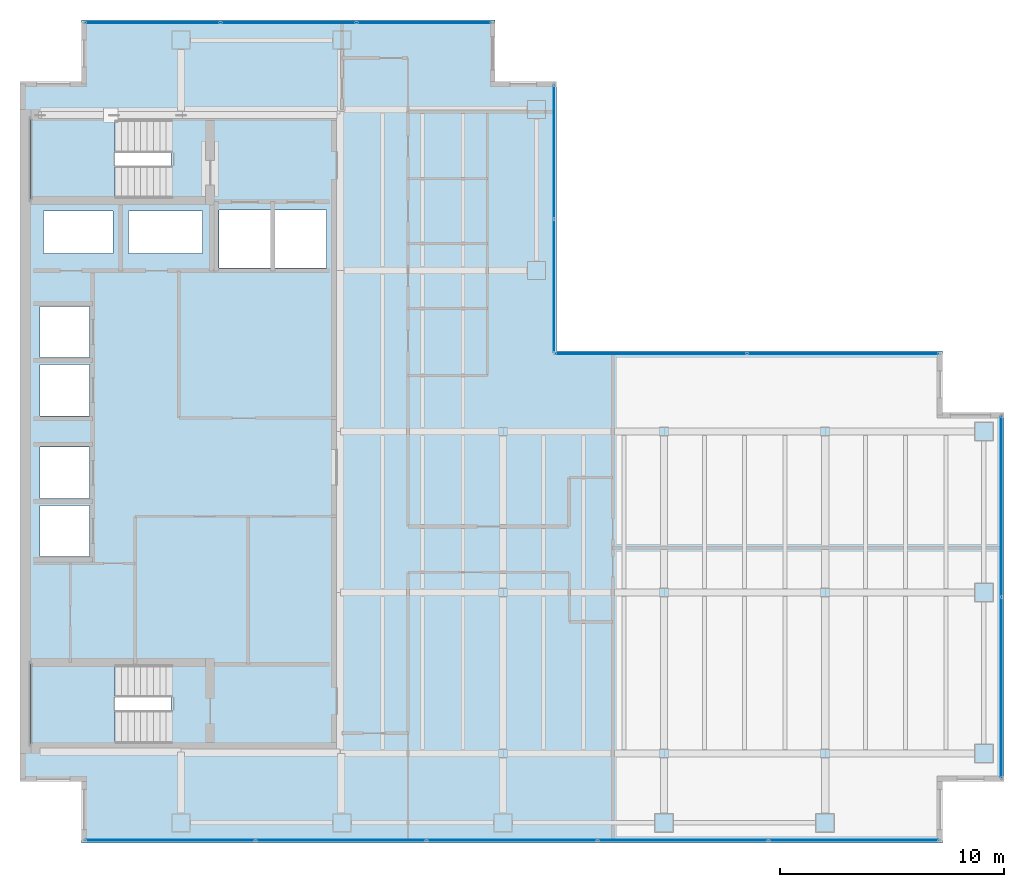
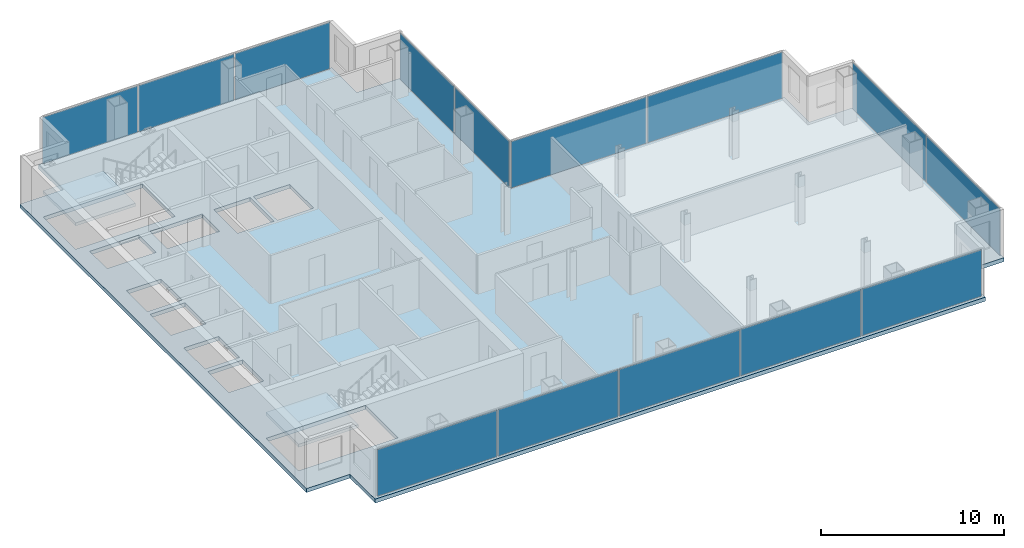
# One storey, part 19 of 23: 14 plates, 3 slabs, 10 openings, 7 elements without a shape of their own.
"""IFC4 building model written with IfcOpenShell, lengths in metres."""

from ifc_helpers import new_model, si_unit, direction, frame, origin, origin_2d, place, context, subcontext, project, spatial, polyline, rectangle, outline, extrude, material, layer, layer_set, type_object, element, aggregate, save


model = new_model("IFC4")

# Units and contexts
model_context = context("Model", 3, precision=1e-05, world=origin(), true_north=direction((0.0, 1.0)))
body_context = subcontext(model_context, "Body", "Model", "MODEL_VIEW")
ifc_project = project(units=[si_unit("LENGTHUNIT", "METRE"), si_unit("AREAUNIT", "SQUARE_METRE"), si_unit("VOLUMEUNIT", "CUBIC_METRE"), si_unit("PLANEANGLEUNIT", "RADIAN"), si_unit("MASSUNIT", "GRAM", prefix="KILO")], contexts=[model_context])

# Site, building, storey
site_placement = place(None, origin())
site = spatial("IfcSite", under=ifc_project, at=site_placement, CompositionType="ELEMENT")
building_placement = place(site_placement, origin())
building = spatial("IfcBuilding", under=site, at=building_placement, Name="Cobrela Telecom Tower", CompositionType="ELEMENT")
storey_placement = place(building_placement, frame((0.0, 0.0, 176.75)))
storey = spatial("IfcBuildingStorey", under=building, at=storey_placement, Name="L44", CompositionType="ELEMENT", Elevation=176.75)

# Curtain wall, plates
ifc_material_1 = material(Name="Anodized Bronze Aluminium 6063-T6", Category="aluminium")
curtain_wall_type = type_object("IfcCurtainWallType", Name="CW-SYS-OFF-LO", PredefinedType="USERDEFINED", material=ifc_material_1)
curtain_wall_1_placement = place(storey_placement, origin())
curtain_wall_1 = element("IfcCurtainWall", 1, at=curtain_wall_1_placement, inside=storey, type_object=curtain_wall_type, Name="L44 Unitised Bronze Curtain Wall 07", ObjectType="UNITISED CURTAIN WALL", PredefinedType="USERDEFINED")
ifc_material_2 = material(Name="Solar-Control Bronze Low-E Glass", Category="glass")
ifc_layer_1 = layer(ifc_material_2, 0.031982421875)
ifc_layer_set_1 = layer_set([ifc_layer_1], Name="Solar-Control Bronze Low-E Glass")
plate_type = type_object("IfcPlateType", Name="CW-SYS-OFF-LO-PNL", PredefinedType="CURTAIN_PANEL", material=ifc_layer_set_1)
plate_1_placement = place(storey_placement, frame((5.930908203125, 39.8798828125, 0.070068359375), z_axis=(0.0, 0.0, 1.0), x_axis=(1.0, 0.0, 0.0)))
plate_1 = element("IfcPlate", 2, at=plate_1_placement, type_object=plate_type, Name="CW-OFF-LO panel 1.1", PredefinedType="CURTAIN_PANEL", context=body_context, shape_type="SweptSolid", body=[
    extrude(rectangle(XDim=5.981689453125, YDim=0.031982421875, at=origin_2d()), origin(), (0.0, 0.0, 1.0), 3.10009765625),
])
plate_2_placement = place(storey_placement, frame((12.0, 39.8798828125, 0.070068359375), z_axis=(0.0, 0.0, 1.0), x_axis=(1.0, 0.0, 0.0)))
plate_2 = element("IfcPlate", 3, at=plate_2_placement, type_object=plate_type, Name="CW-OFF-LO panel 2.1", PredefinedType="CURTAIN_PANEL", context=body_context, shape_type="SweptSolid", body=[
    extrude(rectangle(XDim=6.0166015625, YDim=0.031982421875, at=origin_2d()), origin(), (0.0, 0.0, 1.0), 3.10009765625),
])
plate_3_placement = place(storey_placement, frame((18.069091796875, 39.8798828125, 0.070068359375), z_axis=(0.0, 0.0, 1.0), x_axis=(1.0, 0.0, 0.0)))
plate_3 = element("IfcPlate", 4, at=plate_3_placement, type_object=plate_type, Name="CW-OFF-LO panel 3.1", PredefinedType="CURTAIN_PANEL", context=body_context, shape_type="SweptSolid", body=[
    extrude(rectangle(XDim=5.981689453125, YDim=0.031982421875, at=origin_2d()), origin(), (0.0, 0.0, 1.0), 3.10009765625),
])
aggregate(curtain_wall_1, [plate_1, plate_2, plate_3])

curtain_wall_2_placement = place(storey_placement, origin())
curtain_wall_2 = element("IfcCurtainWall", 5, at=curtain_wall_2_placement, inside=storey, type_object=curtain_wall_type, Name="L44 Unitised Bronze Curtain Wall 10", ObjectType="UNITISED CURTAIN WALL", PredefinedType="USERDEFINED")
plate_4_placement = place(storey_placement, frame((23.8798828125, 34.10009765625, 0.070068359375), z_axis=(0.0, 0.0, 1.0), x_axis=(0.0, -1.0, 0.0)))
plate_4 = element("IfcPlate", 6, at=plate_4_placement, type_object=plate_type, Name="CW-OFF-LO panel 1.1", PredefinedType="CURTAIN_PANEL", context=body_context, shape_type="SweptSolid", body=[
    extrude(rectangle(XDim=5.919921875, YDim=0.031982421875, at=origin_2d()), origin(), (0.0, 0.0, 1.0), 3.10009765625),
])
plate_5_placement = place(storey_placement, frame((23.8798828125, 28.110107421875, 0.070068359375), z_axis=(0.0, 0.0, 1.0), x_axis=(0.0, -1.0, 0.0)))
plate_5 = element("IfcPlate", 7, at=plate_5_placement, type_object=plate_type, Name="CW-OFF-LO panel 2.1", PredefinedType="CURTAIN_PANEL", context=body_context, shape_type="SweptSolid", body=[
    extrude(rectangle(XDim=5.919921875, YDim=0.031982421875, at=origin_2d()), origin(), (0.0, 0.0, 1.0), 3.10009765625),
])
aggregate(curtain_wall_2, [plate_4, plate_5])

curtain_wall_3_placement = place(storey_placement, origin())
curtain_wall_3 = element("IfcCurtainWall", 8, at=curtain_wall_3_placement, inside=storey, type_object=curtain_wall_type, Name="L44 Unitised Bronze Curtain Wall 11", ObjectType="UNITISED CURTAIN WALL", PredefinedType="USERDEFINED")
plate_6_placement = place(storey_placement, frame((28.2099609375, 25.080078125, 0.070068359375), z_axis=(0.0, 0.0, 1.0), x_axis=(1.0, 0.0, 0.0)))
plate_6 = element("IfcPlate", 9, at=plate_6_placement, type_object=plate_type, Name="CW-OFF-LO panel 1.1", PredefinedType="CURTAIN_PANEL", context=body_context, shape_type="SweptSolid", body=[
    extrude(rectangle(XDim=8.52001953125, YDim=0.031982421875, at=origin_2d()), origin(), (0.0, 0.0, 1.0), 3.10009765625),
])
plate_7_placement = place(storey_placement, frame((36.800048828125, 25.080078125, 0.070068359375), z_axis=(0.0, 0.0, 1.0), x_axis=(1.0, 0.0, 0.0)))
plate_7 = element("IfcPlate", 10, at=plate_7_placement, type_object=plate_type, Name="CW-OFF-LO panel 2.1", PredefinedType="CURTAIN_PANEL", context=body_context, shape_type="SweptSolid", body=[
    extrude(rectangle(XDim=8.52001953125, YDim=0.031982421875, at=origin_2d()), origin(), (0.0, 0.0, 1.0), 3.10009765625),
])
aggregate(curtain_wall_3, [plate_6, plate_7])

curtain_wall_4_placement = place(storey_placement, origin())
curtain_wall_4 = element("IfcCurtainWall", 11, at=curtain_wall_4_placement, inside=storey, type_object=curtain_wall_type, Name="L44 Unitised Bronze Curtain Wall 14", ObjectType="UNITISED CURTAIN WALL", PredefinedType="USERDEFINED")
plate_8_placement = place(storey_placement, frame((43.8798828125, 18.24755859375, 0.070068359375), z_axis=(0.0, 0.0, 1.0), x_axis=(0.0, -1.0, 0.0)))
plate_8 = element("IfcPlate", 12, at=plate_8_placement, type_object=plate_type, Name="CW-OFF-LO panel 1.1", PredefinedType="CURTAIN_PANEL", context=body_context, shape_type="SweptSolid", body=[
    extrude(rectangle(XDim=8.02490234375, YDim=0.031982421875, at=origin_2d()), origin(), (0.0, 0.0, 1.0), 3.10009765625),
])
plate_9_placement = place(storey_placement, frame((43.8798828125, 10.152587890625, 0.070068359375), z_axis=(0.0, 0.0, 1.0), x_axis=(0.0, -1.0, 0.0)))
plate_9 = element("IfcPlate", 13, at=plate_9_placement, type_object=plate_type, Name="CW-OFF-LO panel 2.1", PredefinedType="CURTAIN_PANEL", context=body_context, shape_type="SweptSolid", body=[
    extrude(rectangle(XDim=8.02490234375, YDim=0.031982421875, at=origin_2d()), origin(), (0.0, 0.0, 1.0), 3.10009765625),
])
aggregate(curtain_wall_4, [plate_8, plate_9])

curtain_wall_5_placement = place(storey_placement, origin())
curtain_wall_5 = element("IfcCurtainWall", 14, at=curtain_wall_5_placement, inside=storey, type_object=curtain_wall_type, Name="L44 Unitised Bronze Curtain Wall 17", ObjectType="UNITISED CURTAIN WALL", PredefinedType="USERDEFINED")
plate_10_placement = place(storey_placement, frame((37.28662109375, 3.320068359375, 0.070068359375), z_axis=(0.0, 0.0, 1.0), x_axis=(-1.0, 0.0, 0.0)))
plate_10 = element("IfcPlate", 15, at=plate_10_placement, type_object=plate_type, Name="CW-OFF-LO panel 1.1", PredefinedType="CURTAIN_PANEL", context=body_context, shape_type="SweptSolid", body=[
    extrude(rectangle(XDim=7.547119140625, YDim=0.031982421875, at=origin_2d()), origin(), (0.0, 0.0, 1.0), 3.10009765625),
])
plate_11_placement = place(storey_placement, frame((29.652099609375, 3.320068359375, 0.070068359375), z_axis=(0.0, 0.0, 1.0), x_axis=(-1.0, 0.0, 0.0)))
plate_11 = element("IfcPlate", 16, at=plate_11_placement, type_object=plate_type, Name="CW-OFF-LO panel 2.1", PredefinedType="CURTAIN_PANEL", context=body_context, shape_type="SweptSolid", body=[
    extrude(rectangle(XDim=7.58203125, YDim=0.031982421875, at=origin_2d()), origin(), (0.0, 0.0, 1.0), 3.10009765625),
])
plate_12_placement = place(storey_placement, frame((22.0, 3.320068359375, 0.070068359375), z_axis=(0.0, 0.0, 1.0), x_axis=(-1.0, 0.0, 0.0)))
plate_12 = element("IfcPlate", 17, at=plate_12_placement, type_object=plate_type, Name="CW-OFF-LO panel 3.1", PredefinedType="CURTAIN_PANEL", context=body_context, shape_type="SweptSolid", body=[
    extrude(rectangle(XDim=7.58203125, YDim=0.031982421875, at=origin_2d()), origin(), (0.0, 0.0, 1.0), 3.10009765625),
])
plate_13_placement = place(storey_placement, frame((14.347900390625, 3.320068359375, 0.070068359375), z_axis=(0.0, 0.0, 1.0), x_axis=(-1.0, 0.0, 0.0)))
plate_13 = element("IfcPlate", 18, at=plate_13_placement, type_object=plate_type, Name="CW-OFF-LO panel 4.1", PredefinedType="CURTAIN_PANEL", context=body_context, shape_type="SweptSolid", body=[
    extrude(rectangle(XDim=7.58203125, YDim=0.031982421875, at=origin_2d()), origin(), (0.0, 0.0, 1.0), 3.10009765625),
])
plate_14_placement = place(storey_placement, frame((6.71337890625, 3.320068359375, 0.070068359375), z_axis=(0.0, 0.0, 1.0), x_axis=(-1.0, 0.0, 0.0)))
plate_14 = element("IfcPlate", 19, at=plate_14_placement, type_object=plate_type, Name="CW-OFF-LO panel 5.1", PredefinedType="CURTAIN_PANEL", context=body_context, shape_type="SweptSolid", body=[
    extrude(rectangle(XDim=7.547119140625, YDim=0.031982421875, at=origin_2d()), origin(), (0.0, 0.0, 1.0), 3.10009765625),
])
aggregate(curtain_wall_5, [plate_10, plate_11, plate_12, plate_13, plate_14])

# Slab, openings
ifc_material_3 = material(Name="Concrete C40/50", Category="concrete")
ifc_layer_2 = layer(ifc_material_3, 0.260009765625)
ifc_layer_set_2 = layer_set([ifc_layer_2], Name="Concrete C40/50")
slab_type_1 = type_object("IfcSlabType", Name="SLAB-FLR-260", PredefinedType="FLOOR", material=ifc_layer_set_2)
slab_1_placement = place(storey_placement, frame((0.0, 0.0, -0.260009765625)))
slab_1 = element("IfcSlab", 20, at=slab_1_placement, inside=storey, type_object=slab_type_1, Name="L44 Structural Floor Slab", PredefinedType="FLOOR", context=body_context, shape_type="SweptSolid", body=[
    extrude(outline(polyline([(2.75, 3.199951171875), (41.25, 3.199951171875), (41.25, 5.949951171875), (44.0, 5.949951171875), (44.0, 22.449951171875), (41.25, 22.449951171875), (41.25, 25.199951171875), (24.0, 25.199951171875), (24.0, 37.25), (21.25, 37.25), (21.25, 40.0), (2.75, 40.0), (2.75, 37.25), (0.0, 37.25), (0.0, 5.949951171875), (2.75, 5.949951171875), (2.75, 3.199951171875)])), origin(), (0.0, 0.0, 1.0), 0.260009765625),
])
opening_1_placement = place(slab_1_placement, frame((0.0, 0.0, -0.02001953125)))
element("IfcOpeningElement", 21, at=opening_1_placement, cuts=slab_1, Name="Slab Shaft Opening SLAB-L44-MAIN.1", PredefinedType="OPENING", context=body_context, shape_type="SweptSolid", body=[
    extrude(outline(polyline([(8.89990234375, 28.89990234375), (11.199951171875, 28.89990234375), (11.199951171875, 31.5), (8.89990234375, 31.5), (8.89990234375, 28.89990234375)])), origin(), (0.0, 0.0, 1.0), 0.300048828125),
])
opening_2_placement = place(slab_1_placement, frame((0.0, 0.0, -0.02001953125)))
element("IfcOpeningElement", 22, at=opening_2_placement, cuts=slab_1, Name="Slab Shaft Opening SLAB-L44-MAIN.2", PredefinedType="OPENING", context=body_context, shape_type="SweptSolid", body=[
    extrude(outline(polyline([(11.39990234375, 28.89990234375), (13.699951171875, 28.89990234375), (13.699951171875, 31.5), (11.39990234375, 31.5), (11.39990234375, 28.89990234375)])), origin(), (0.0, 0.0, 1.0), 0.300048828125),
])
opening_3_placement = place(slab_1_placement, frame((0.0, 0.0, -0.02001953125)))
element("IfcOpeningElement", 23, at=opening_3_placement, cuts=slab_1, Name="Slab Shaft Opening SLAB-L44-MAIN.3", PredefinedType="OPENING", context=body_context, shape_type="SweptSolid", body=[
    extrude(outline(polyline([(0.89990234375, 16.0), (3.10009765625, 16.0), (3.10009765625, 18.300048828125), (0.89990234375, 18.300048828125), (0.89990234375, 16.0)])), origin(), (0.0, 0.0, 1.0), 0.300048828125),
])
opening_4_placement = place(slab_1_placement, frame((0.0, 0.0, -0.02001953125)))
element("IfcOpeningElement", 24, at=opening_4_placement, cuts=slab_1, Name="Slab Shaft Opening SLAB-L44-MAIN.4", PredefinedType="OPENING", context=body_context, shape_type="SweptSolid", body=[
    extrude(outline(polyline([(0.89990234375, 18.60009765625), (3.10009765625, 18.60009765625), (3.10009765625, 20.89990234375), (0.89990234375, 20.89990234375), (0.89990234375, 18.60009765625)])), origin(), (0.0, 0.0, 1.0), 0.300048828125),
])
opening_5_placement = place(slab_1_placement, frame((0.0, 0.0, -0.02001953125)))
element("IfcOpeningElement", 25, at=opening_5_placement, cuts=slab_1, Name="Slab Shaft Opening SLAB-L44-MAIN.5", PredefinedType="OPENING", context=body_context, shape_type="SweptSolid", body=[
    extrude(outline(polyline([(0.89990234375, 22.300048828125), (3.10009765625, 22.300048828125), (3.10009765625, 24.60009765625), (0.89990234375, 24.60009765625), (0.89990234375, 22.300048828125)])), origin(), (0.0, 0.0, 1.0), 0.300048828125),
])
opening_6_placement = place(slab_1_placement, frame((0.0, 0.0, -0.02001953125)))
element("IfcOpeningElement", 26, at=opening_6_placement, cuts=slab_1, Name="Slab Shaft Opening SLAB-L44-MAIN.6", PredefinedType="OPENING", context=body_context, shape_type="SweptSolid", body=[
    extrude(outline(polyline([(0.89990234375, 24.89990234375), (3.10009765625, 24.89990234375), (3.10009765625, 27.199951171875), (0.89990234375, 27.199951171875), (0.89990234375, 24.89990234375)])), origin(), (0.0, 0.0, 1.0), 0.300048828125),
])
opening_7_placement = place(slab_1_placement, frame((0.0, 0.0, -0.02001953125)))
element("IfcOpeningElement", 27, at=opening_7_placement, cuts=slab_1, Name="Slab Shaft Opening SLAB-L44-MAIN.7", PredefinedType="OPENING", context=body_context, shape_type="SweptSolid", body=[
    extrude(outline(polyline([(1.050048828125, 29.550048828125), (4.14990234375, 29.550048828125), (4.14990234375, 31.449951171875), (1.050048828125, 31.449951171875), (1.050048828125, 29.550048828125)])), origin(), (0.0, 0.0, 1.0), 0.300048828125),
])
opening_8_placement = place(slab_1_placement, frame((0.0, 0.0, -0.02001953125)))
element("IfcOpeningElement", 28, at=opening_8_placement, cuts=slab_1, Name="Slab Shaft Opening SLAB-L44-MAIN.8", PredefinedType="OPENING", context=body_context, shape_type="SweptSolid", body=[
    extrude(outline(polyline([(4.85009765625, 29.550048828125), (8.14990234375, 29.550048828125), (8.14990234375, 31.449951171875), (4.85009765625, 31.449951171875), (4.85009765625, 29.550048828125)])), origin(), (0.0, 0.0, 1.0), 0.300048828125),
])
opening_9_placement = place(slab_1_placement, frame((0.0, 0.0, -0.02001953125)))
element("IfcOpeningElement", 29, at=opening_9_placement, cuts=slab_1, Name="Slab Shaft Opening SLAB-L44-MAIN.9", PredefinedType="OPENING", context=body_context, shape_type="SweptSolid", body=[
    extrude(outline(polyline([(6.7548828125, 35.550048828125), (0.47998046875, 35.550048828125), (0.47998046875, 32.0), (6.7548828125, 32.0), (6.7548828125, 35.550048828125)])), origin(), (0.0, 0.0, 1.0), 0.300048828125),
])
opening_10_placement = place(slab_1_placement, frame((0.0, 0.0, -0.02001953125)))
element("IfcOpeningElement", 30, at=opening_10_placement, cuts=slab_1, Name="Slab Shaft Opening SLAB-L44-MAIN.10", PredefinedType="OPENING", context=body_context, shape_type="SweptSolid", body=[
    extrude(outline(polyline([(6.7548828125, 11.199951171875), (0.47998046875, 11.199951171875), (0.47998046875, 7.64990234375), (6.7548828125, 7.64990234375), (6.7548828125, 11.199951171875)])), origin(), (0.0, 0.0, 1.0), 0.300048828125),
])

# Stair, slab
stair_type = type_object("IfcStairType", Name="STAIR-CORE", PredefinedType="HALF_TURN_STAIR", material=ifc_material_3)
stair_1_placement = place(storey_placement, origin())
stair_1 = element("IfcStair", 31, at=stair_1_placement, inside=storey, type_object=stair_type, Name="L44 Smokeproof Exit Stair ST1", PredefinedType="HALF_TURN_STAIR")
ifc_layer_3 = layer(ifc_material_3, 0.199951171875)
ifc_layer_set_3 = layer_set([ifc_layer_3], Name="Concrete C40/50")
slab_type_2 = type_object("IfcSlabType", Name="SLAB-LAND-200", PredefinedType="LANDING", material=ifc_layer_set_3)
slab_2_placement = place(storey_placement, frame((0.0, 0.0, 1.550048828125)))
slab_2 = element("IfcSlab", 32, at=slab_2_placement, type_object=slab_type_2, Name="ST1 landing 1", PredefinedType="LANDING", context=body_context, shape_type="SweptSolid", body=[
    extrude(outline(polyline([(4.2548828125, 35.550048828125), (0.47998046875, 35.550048828125), (0.47998046875, 32.0), (4.2548828125, 32.0), (4.2548828125, 35.550048828125)])), origin(), (0.0, 0.0, 1.0), 0.199951171875),
])
aggregate(stair_1, [slab_2])

stair_2_placement = place(storey_placement, origin())
stair_2 = element("IfcStair", 33, at=stair_2_placement, inside=storey, type_object=stair_type, Name="L44 Smokeproof Exit Stair ST2", PredefinedType="HALF_TURN_STAIR")
slab_3_placement = place(storey_placement, frame((0.0, 0.0, 1.550048828125)))
slab_3 = element("IfcSlab", 34, at=slab_3_placement, type_object=slab_type_2, Name="ST2 landing 1", PredefinedType="LANDING", context=body_context, shape_type="SweptSolid", body=[
    extrude(outline(polyline([(4.2548828125, 11.199951171875), (0.47998046875, 11.199951171875), (0.47998046875, 7.64990234375), (4.2548828125, 7.64990234375), (4.2548828125, 11.199951171875)])), origin(), (0.0, 0.0, 1.0), 0.199951171875),
])
aggregate(stair_2, [slab_3])

save(model, "model.ifc")
